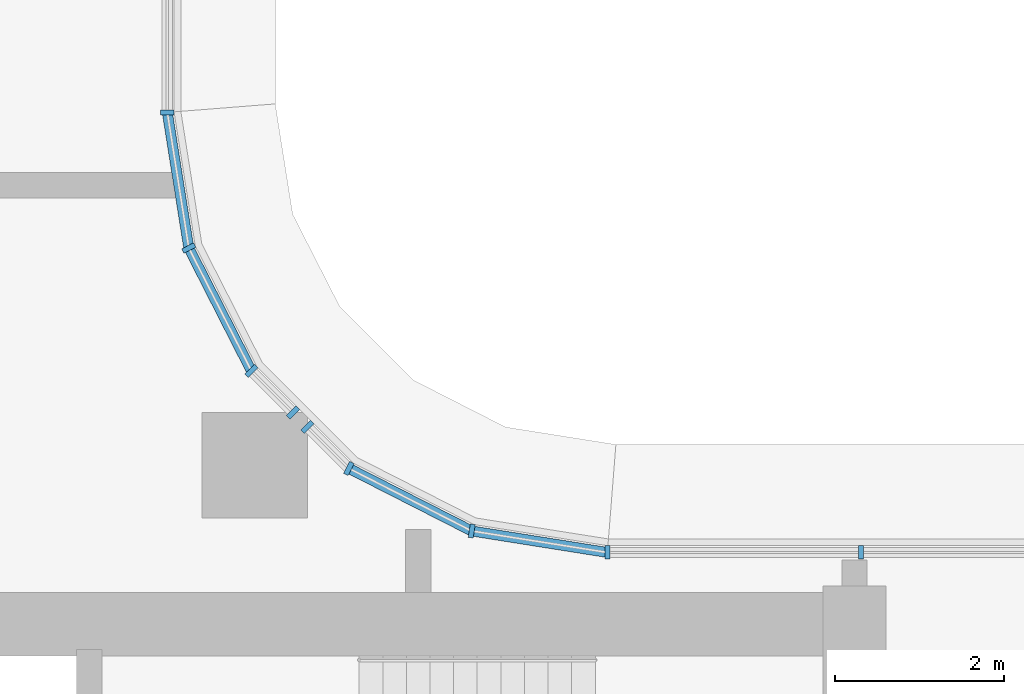
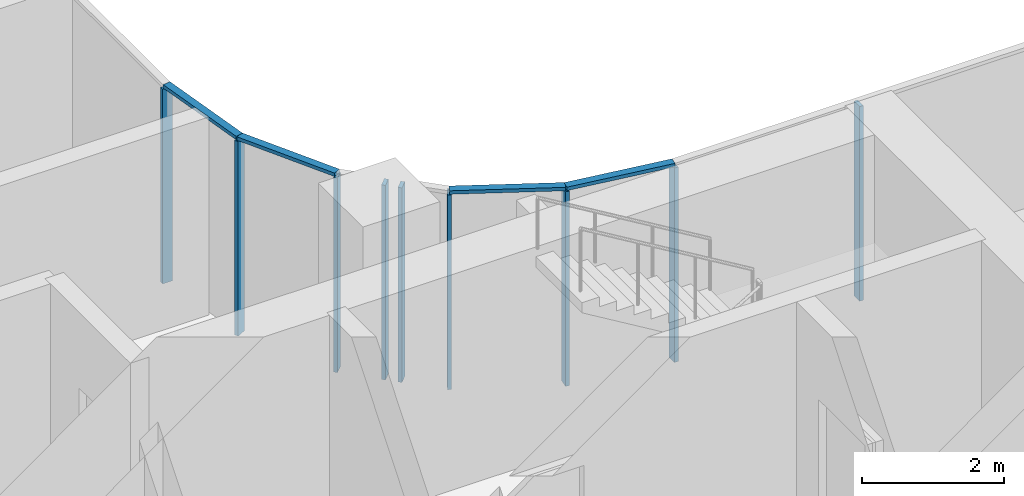
# One storey, part 2 of 40: 13 members, 4 elements without a shape of their own.
"""IFC4 building model written with IfcOpenShell, lengths in metres."""

import ifcopenshell
import ifcopenshell.guid

model = None  # the IFC model being written
_history = None  # IfcOwnerHistory: only IFC2X3 demands one
_inside = {}  # id of a spatial element -> (the spatial element, [elements in it])
_under = {}  # id of a project, library or spatial element -> (it, [spatial elements below it])
_declared = {}  # id of a project -> (the project, [libraries it declares])
_typed = {}  # id of a type object -> (the type object, [elements of that type])
_made_of = {}  # id of a material, layer set ... -> (it, [elements and type objects made of it])


def new_model(schema):
    """Start an empty IFC model of exactly this schema.

    Asked for "IFC4X3", IfcOpenShell would pick the latest addendum, in which some entities
    have other attributes; the version numbers below select the first issue.
    IFC2X3 requires an IfcOwnerHistory on every rooted entity: one is made here for all.
    """
    global model, _history
    if schema == "IFC4X3":
        model = ifcopenshell.file(schema_version=(4, 3, 0, 0))
    else:
        model = ifcopenshell.file(schema=schema)
    _inside.clear()
    _under.clear()
    _declared.clear()
    _typed.clear()
    _made_of.clear()
    _history = None
    if model.schema == "IFC2X3":
        org = make("IfcOrganization", Name="unknown")
        user = make(
            "IfcPersonAndOrganization",
            ThePerson=make("IfcPerson", FamilyName="unknown"),
            TheOrganization=org,
        )
        app = make(
            "IfcApplication",
            ApplicationDeveloper=org,
            Version="unknown",
            ApplicationFullName="unknown",
            ApplicationIdentifier="unknown",
        )
        _history = make(
            "IfcOwnerHistory",
            OwningUser=user,
            OwningApplication=app,
            ChangeAction="ADDED",
            CreationDate=0,
        )
    return model


def make(cls, **values):
    """One entity of the class cls with the attributes given. An attribute that is None is left unset."""
    return model.create_entity(
        cls, **{name: value for name, value in values.items() if value is not None}
    )


def rooted(cls, **values):
    """An entity with a GlobalId (a new one), such as an element, a storey or a relation."""
    return make(cls, GlobalId=ifcopenshell.guid.new(), OwnerHistory=_history, **values)


def si_unit(unit_type, name, prefix=None):
    """IfcSIUnit, for example si_unit("LENGTHUNIT", "METRE", prefix="MILLI")."""
    return make("IfcSIUnit", UnitType=unit_type, Prefix=prefix, Name=name)


def assignment(units):
    """IfcUnitAssignment: the units of a project."""
    return None if units is None else make("IfcUnitAssignment", Units=units)


def point(xyz):
    """IfcCartesianPoint."""
    return None if xyz is None else make("IfcCartesianPoint", Coordinates=xyz)


def direction(xyz):
    """IfcDirection."""
    return None if xyz is None else make("IfcDirection", DirectionRatios=xyz)


def frame(location, z_axis=None, x_axis=None):
    """IfcAxis2Placement3D, a coordinate frame: its origin and axes. An axis left out is left unset."""
    return make(
        "IfcAxis2Placement3D",
        Location=point(location),
        Axis=direction(z_axis),
        RefDirection=direction(x_axis),
    )


def frame_2d(location, x_axis=None):
    """IfcAxis2Placement2D, a coordinate frame in the plane: its origin and x axis."""
    return make(
        "IfcAxis2Placement2D", Location=point(location), RefDirection=direction(x_axis)
    )


def origin():
    """The frame at (0, 0, 0) with its axes left unset."""
    return frame((0.0, 0.0, 0.0))


def origin_2d():
    """The frame at (0, 0) in the plane with its x axis left unset."""
    return frame_2d((0.0, 0.0))


def place(relative_to, where):
    """IfcLocalPlacement: puts the frame where relative to a parent placement (None: the world)."""
    return make(
        "IfcLocalPlacement", PlacementRelTo=relative_to, RelativePlacement=where
    )


def context(
    kind, dimensions, precision=None, world=None, true_north=None, identifier=None
):
    """IfcGeometricRepresentationContext, for example the 3D "Model" context."""
    return make(
        "IfcGeometricRepresentationContext",
        ContextIdentifier=identifier,
        ContextType=kind,
        CoordinateSpaceDimension=dimensions,
        Precision=precision,
        WorldCoordinateSystem=world,
        TrueNorth=true_north,
    )


def subcontext(parent, identifier, kind, view, scale=None):
    """IfcGeometricRepresentationSubContext, for example "Body" below "Model"."""
    return make(
        "IfcGeometricRepresentationSubContext",
        ContextIdentifier=identifier,
        ContextType=kind,
        ParentContext=parent,
        TargetScale=scale,
        TargetView=view,
    )


def project(units=None, contexts=None):
    """IfcProject with its units and contexts."""
    return rooted(
        "IfcProject",
        Name="project",
        RepresentationContexts=contexts,
        UnitsInContext=assignment(units),
    )


def spatial(cls, under=None, at=None, **own):
    """A site, building, storey or space (cls), placed at a placement, below another one or the project."""
    s = rooted(cls, ObjectPlacement=at, **own)
    if under is not None:
        _under.setdefault(under.id(), (under, []))[1].append(s)
    return s


def profile(cls, at=None, kind="AREA", **sizes):
    """A parametric profile (cls). Its sizes go by their IFC names, for example OverallWidth=200.0."""
    return make(cls, ProfileType=kind, Position=at, **sizes)


def rectangle(**sizes):
    """IfcRectangleProfileDef."""
    return profile("IfcRectangleProfileDef", **sizes)


def extrude(swept, where, along, depth):
    """IfcExtrudedAreaSolid: the profile swept, set in the frame where, extruded along a direction by depth."""
    return make(
        "IfcExtrudedAreaSolid",
        SweptArea=swept,
        Position=where,
        ExtrudedDirection=direction(along),
        Depth=depth,
    )


def shape(context_of_items, identifier, shape_type, items):
    """IfcShapeRepresentation: the items that make up one representation, for example the "Body"."""
    return make(
        "IfcShapeRepresentation",
        ContextOfItems=context_of_items,
        RepresentationIdentifier=identifier,
        RepresentationType=shape_type,
        Items=items,
    )


def material(Name=None, Category=None):
    """IfcMaterial."""
    return make("IfcMaterial", Name=Name, Category=Category)


def material_profile(
    of_material, cross_section, Name=None, Category=None, Priority=None
):
    """IfcMaterialProfile: a cross section and its material."""
    return make(
        "IfcMaterialProfile",
        Name=Name,
        Material=of_material,
        Profile=cross_section,
        Priority=Priority,
        Category=Category,
    )


def profile_set(profiles, Name=None, composite=None):
    """IfcMaterialProfileSet."""
    return make(
        "IfcMaterialProfileSet",
        Name=Name,
        MaterialProfiles=profiles,
        CompositeProfile=composite,
    )


def made_of(thing, what):
    """Note that an element or type object is made of a material, layer set ...; save() writes the relation."""
    if what is not None:
        _made_of.setdefault(what.id(), (what, []))[1].append(thing)
    return thing


def type_object(cls, material=None, **own):
    """A type object (cls), such as IfcWallType, which elements share."""
    return made_of(rooted(cls, **own), material)


def element(
    cls,
    number,
    at=None,
    inside=None,
    cuts=None,
    type_object=None,
    material=None,
    context=None,
    identifier="Body",
    shape_type=None,
    held_by="IfcProductDefinitionShape",
    body=None,
    shapes=None,
    **own,
):
    """One element of the class cls, such as IfcWall. Its Tag is "e" and its number.

    at: its placement. inside: the storey or other place that contains it. cuts: it is an
    opening in that element (IfcRelVoidsElement). A single representation is given by context,
    identifier, shape_type and body (its items); several are given by shapes. held_by: the class
    of the entity that holds the representations. save() writes the other relations.
    """
    e = rooted(cls, Tag="e%d" % number, ObjectPlacement=at, **own)
    if body is not None:
        shapes = [shape(context, identifier, shape_type, body)]
    if shapes is not None:
        e.Representation = make(held_by, Representations=shapes)
    if inside is not None:
        _inside.setdefault(inside.id(), (inside, []))[1].append(e)
    if cuts is not None:
        rooted(
            "IfcRelVoidsElement", RelatingBuildingElement=cuts, RelatedOpeningElement=e
        )
    if type_object is not None:
        _typed.setdefault(type_object.id(), (type_object, []))[1].append(e)
    return made_of(e, material)


def aggregate(whole, parts):
    """IfcRelAggregates: a whole, such as a stair, and the parts it consists of."""
    return rooted("IfcRelAggregates", RelatingObject=whole, RelatedObjects=parts)


def save(model, path):
    """Write the relations noted so far, then the file.

    IfcRelAggregates (storeys below a building ...), IfcRelContainedInSpatialStructure (elements
    in a storey), IfcRelDefinesByType, IfcRelAssociatesMaterial and IfcRelDeclares: one each for
    every whole, place, type object, material and project.
    """
    for whole, parts in _under.values():
        aggregate(whole, parts)
    for where, things in _inside.values():
        rooted(
            "IfcRelContainedInSpatialStructure",
            RelatedElements=things,
            RelatingStructure=where,
        )
    for kind, things in _typed.values():
        rooted("IfcRelDefinesByType", RelatedObjects=things, RelatingType=kind)
    for what, things in _made_of.values():
        rooted("IfcRelAssociatesMaterial", RelatedObjects=things, RelatingMaterial=what)
    for by, libraries in _declared.values():
        rooted("IfcRelDeclares", RelatingContext=by, RelatedDefinitions=libraries)
    model.write(path)


model = new_model("IFC4")

# Units and contexts
model_context = context("Model", 3, precision=1e-05, world=origin(), true_north=direction((0.0, 1.0)))
body_context = subcontext(model_context, "Body", "Model", "MODEL_VIEW")
ifc_project = project(units=[si_unit("LENGTHUNIT", "METRE"), si_unit("AREAUNIT", "SQUARE_METRE"), si_unit("VOLUMEUNIT", "CUBIC_METRE"), si_unit("PLANEANGLEUNIT", "RADIAN"), si_unit("MASSUNIT", "GRAM", prefix="KILO")], contexts=[model_context])

# Site, building, storey
site_placement = place(None, origin())
site = spatial("IfcSite", under=ifc_project, at=site_placement, CompositionType="ELEMENT")
building_placement = place(site_placement, origin())
building = spatial("IfcBuilding", under=site, at=building_placement, Name="Ogive Portal Towers", CompositionType="ELEMENT")
storey_placement = place(building_placement, frame((0.0, 0.0, 87.10009765625)))
storey = spatial("IfcBuildingStorey", under=building, at=storey_placement, Name="L20", CompositionType="ELEMENT", Elevation=87.10009765625)

# Curtain wall, members
ifc_material_1 = material(Name="Glass, clear low-iron insulated glazing", Category="glass")
curtain_wall_type = type_object("IfcCurtainWallType", Name="CW FRONT RIBBON 4500", PredefinedType="NOTDEFINED", material=ifc_material_1)
curtain_wall_1_placement = place(storey_placement, origin())
curtain_wall_1 = element("IfcCurtainWall", 1, at=curtain_wall_1_placement, inside=storey, type_object=curtain_wall_type, Name="A:L20:f11:cw0", PredefinedType="NOTDEFINED")
ifc_material_2 = material(Name="Aluminium 6063 anodised", Category="aluminium")
ifc_material_profile_1 = material_profile(ifc_material_2, rectangle(XDim=0.159912109375, YDim=0.06005859375, at=origin_2d()), Name="AL 60x160")
ifc_profile_set_1 = profile_set([ifc_material_profile_1], Name="Aluminium 6063 anodised")
member_type_1 = type_object("IfcMemberType", Name="CW MULLION 60x160", PredefinedType="MULLION", material=ifc_profile_set_1)
member_1_placement = place(storey_placement, frame((58.5, 40.27490234375, 0.0), z_axis=(0.0, 0.0, 1.0), x_axis=(0.0, -1.0, 0.0)))
member_1 = element("IfcMember", 2, at=member_1_placement, type_object=member_type_1, Name="mullion", PredefinedType="MULLION", context=body_context, shape_type="SweptSolid", body=[
    extrude(rectangle(XDim=0.159912109375, YDim=0.06005859375, at=origin_2d()), origin(), (0.0, 0.0, 1.0), 3.33984375),
])
member_2_placement = place(storey_placement, frame((55.49365234375, 40.27490234375, 0.0), z_axis=(0.0, 0.0, 1.0), x_axis=(0.0, -1.0, 0.0)))
member_2 = element("IfcMember", 3, at=member_2_placement, type_object=member_type_1, Name="mullion", PredefinedType="MULLION", context=body_context, shape_type="SweptSolid", body=[
    extrude(rectangle(XDim=0.159912109375, YDim=0.06005859375, at=origin_2d()), origin(), (0.0, 0.0, 1.0), 3.33984375),
])
aggregate(curtain_wall_1, [member_1, member_2])

# Curtain wall, member
curtain_wall_2_placement = place(storey_placement, origin())
curtain_wall_2 = element("IfcCurtainWall", 4, at=curtain_wall_2_placement, inside=storey, type_object=curtain_wall_type, Name="A:L20:f17:cw0", PredefinedType="NOTDEFINED")
member_3_placement = place(storey_placement, frame((50.27490234375, 45.49365234375, 0.0), z_axis=(0.0, 0.0, 1.0), x_axis=(-1.0, 0.0, 0.0)))
member_3 = element("IfcMember", 5, at=member_3_placement, type_object=member_type_1, Name="mullion", PredefinedType="MULLION", context=body_context, shape_type="SweptSolid", body=[
    extrude(rectangle(XDim=0.159912109375, YDim=0.06005859375, at=origin_2d()), origin(), (0.0, 0.0, 1.0), 3.33984375),
])
aggregate(curtain_wall_2, [member_3])

# Curtain wall, members
curtain_wall_3_placement = place(storey_placement, origin())
curtain_wall_3 = element("IfcCurtainWall", 6, at=curtain_wall_3_placement, inside=storey, type_object=curtain_wall_type, Name="A:L20:f12:cwa~0", PredefinedType="NOTDEFINED")
member_4_placement = place(storey_placement, frame((53.885009765625, 40.52978515625, 0.0), z_axis=(0.0, 0.0, 1.0), x_axis=(-0.15643446504, -0.987688340595, 0.0)))
member_4 = element("IfcMember", 7, at=member_4_placement, type_object=member_type_1, Name="mullion", PredefinedType="MULLION", context=body_context, shape_type="SweptSolid", body=[
    extrude(rectangle(XDim=0.159912109375, YDim=0.06005859375, at=origin_2d()), origin(), (0.0, 0.0, 1.0), 3.33984375),
])
member_5_placement = place(storey_placement, frame((52.42822265625, 41.27197265625, 0.0), z_axis=(0.0, 0.0, 1.0), x_axis=(-0.45399049974, -0.891006524188, 0.0)))
member_5 = element("IfcMember", 8, at=member_5_placement, type_object=member_type_1, Name="mullion", PredefinedType="MULLION", context=body_context, shape_type="SweptSolid", body=[
    extrude(rectangle(XDim=0.159912109375, YDim=0.06005859375, at=origin_2d()), origin(), (0.0, 0.0, 1.0), 3.33984375),
])
member_6_placement = place(storey_placement, frame((51.93505859375, 41.765380859375, 0.0), z_axis=(0.0, 0.0, 1.0), x_axis=(-0.707106781187, -0.707106781187, 0.0)))
member_6 = element("IfcMember", 9, at=member_6_placement, type_object=member_type_1, Name="mullion", PredefinedType="MULLION", context=body_context, shape_type="SweptSolid", body=[
    extrude(rectangle(XDim=0.159912109375, YDim=0.06005859375, at=origin_2d()), origin(), (0.0, 0.0, 1.0), 3.33984375),
])

curtain_wall_4_placement = place(storey_placement, origin())
curtain_wall_4 = element("IfcCurtainWall", 10, at=curtain_wall_4_placement, inside=storey, type_object=curtain_wall_type, Name="A:L20:f12:cwa~1", PredefinedType="NOTDEFINED")
member_7_placement = place(storey_placement, frame((51.765380859375, 41.93505859375, 0.0), z_axis=(0.0, 0.0, 1.0), x_axis=(-0.707106781187, -0.707106781187, 0.0)))
member_7 = element("IfcMember", 11, at=member_7_placement, type_object=member_type_1, Name="mullion", PredefinedType="MULLION", context=body_context, shape_type="SweptSolid", body=[
    extrude(rectangle(XDim=0.159912109375, YDim=0.06005859375, at=origin_2d()), origin(), (0.0, 0.0, 1.0), 3.33984375),
])
member_8_placement = place(storey_placement, frame((51.27197265625, 42.42822265625, 0.0), z_axis=(0.0, 0.0, 1.0), x_axis=(-0.707106781187, -0.707106781187, 0.0)))
member_8 = element("IfcMember", 12, at=member_8_placement, type_object=member_type_1, Name="mullion", PredefinedType="MULLION", context=body_context, shape_type="SweptSolid", body=[
    extrude(rectangle(XDim=0.159912109375, YDim=0.06005859375, at=origin_2d()), origin(), (0.0, 0.0, 1.0), 3.33984375),
])
member_9_placement = place(storey_placement, frame((50.52978515625, 43.885009765625, 0.0), z_axis=(0.0, 0.0, 1.0), x_axis=(-0.891006524188, -0.45399049974, 0.0)))
member_9 = element("IfcMember", 13, at=member_9_placement, type_object=member_type_1, Name="mullion", PredefinedType="MULLION", context=body_context, shape_type="SweptSolid", body=[
    extrude(rectangle(XDim=0.159912109375, YDim=0.06005859375, at=origin_2d()), origin(), (0.0, 0.0, 1.0), 3.33984375),
])

# Member
ifc_material_profile_2 = material_profile(ifc_material_2, rectangle(XDim=0.1201171875, YDim=0.06005859375, at=origin_2d()), Name="AL 120x60")
ifc_profile_set_2 = profile_set([ifc_material_profile_2], Name="Aluminium 6063 anodised")
member_type_2 = type_object("IfcMemberType", Name="CW TRANSOM 60x120", PredefinedType="USERDEFINED", material=ifc_profile_set_2)
member_10_placement = place(storey_placement, frame((55.49365234375, 40.27490234375, 3.369873046875), z_axis=(-0.987678960592, 0.156493676561, 0.0), x_axis=(-0.156493676561, -0.987678960592, 0.0)))
member_10 = element("IfcMember", 14, at=member_10_placement, type_object=member_type_2, Name="transom", ObjectType="TRANSOM", PredefinedType="USERDEFINED", context=body_context, shape_type="SweptSolid", body=[
    extrude(rectangle(XDim=0.1201171875, YDim=0.06005859375, at=origin_2d()), origin(), (0.0, 0.0, 1.0), 1.628662109375),
])

member_11_placement = place(storey_placement, frame((53.885009765625, 40.52978515625, 3.369873046875), z_axis=(-0.891026961257, 0.453950387502, 0.0), x_axis=(-0.453950387502, -0.891026961257, 0.0)))
member_11 = element("IfcMember", 15, at=member_11_placement, type_object=member_type_2, Name="transom", ObjectType="TRANSOM", PredefinedType="USERDEFINED", context=body_context, shape_type="SweptSolid", body=[
    extrude(rectangle(XDim=0.1201171875, YDim=0.06005859375, at=origin_2d()), origin(), (0.0, 0.0, 1.0), 1.635009765625),
])

aggregate(curtain_wall_3, [member_10, member_11, member_4, member_5, member_6])

member_12_placement = place(storey_placement, frame((51.27197265625, 42.42822265625, 3.369873046875), z_axis=(-0.453950387502, 0.891026961257, 0.0), x_axis=(-0.891026961257, -0.453950387502, 0.0)))
member_12 = element("IfcMember", 16, at=member_12_placement, type_object=member_type_2, Name="transom", ObjectType="TRANSOM", PredefinedType="USERDEFINED", context=body_context, shape_type="SweptSolid", body=[
    extrude(rectangle(XDim=0.1201171875, YDim=0.06005859375, at=origin_2d()), origin(), (0.0, 0.0, 1.0), 1.635009765625),
])

member_13_placement = place(storey_placement, frame((50.52978515625, 43.885009765625, 3.369873046875), z_axis=(-0.156493676561, 0.987678960592, 0.0), x_axis=(-0.987678960592, -0.156493676561, 0.0)))
member_13 = element("IfcMember", 17, at=member_13_placement, type_object=member_type_2, Name="transom", ObjectType="TRANSOM", PredefinedType="USERDEFINED", context=body_context, shape_type="SweptSolid", body=[
    extrude(rectangle(XDim=0.1201171875, YDim=0.06005859375, at=origin_2d()), origin(), (0.0, 0.0, 1.0), 1.628662109375),
])

aggregate(curtain_wall_4, [member_12, member_13, member_7, member_8, member_9])

save(model, "model.ifc")
